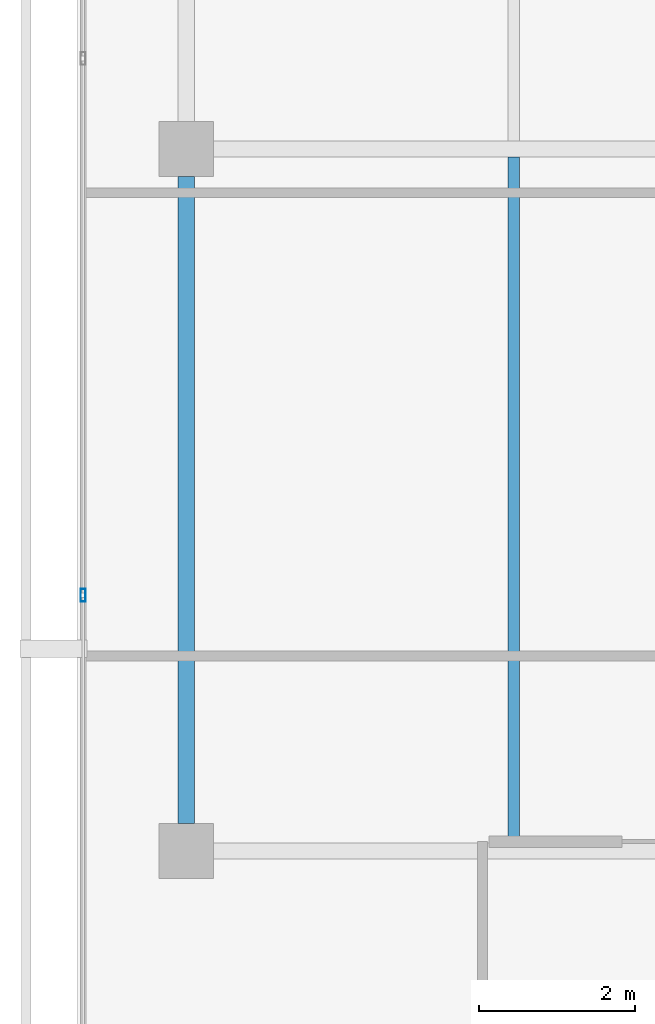
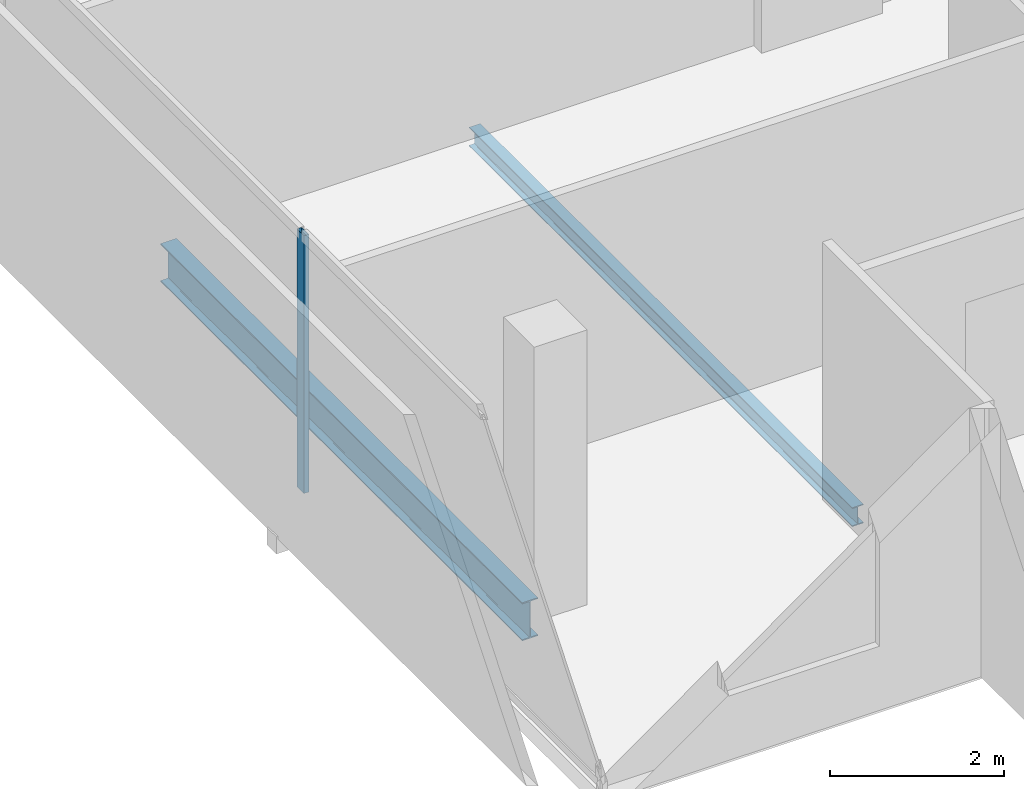
# One storey, part 4 of 26: 2 beams, 1 member, 1 element without a shape of its own.
"""IFC4 building model written with IfcOpenShell, lengths in metres."""

from ifc_helpers import new_model, si_unit, direction, frame, origin, origin_2d, place, context, subcontext, project, spatial, hollow_rectangle, i_section, extrude, material, layer, layer_set, material_profile, profile_set, type_object, element, aggregate, save


model = new_model("IFC4")

# Units and contexts
model_context = context("Model", 3, precision=1e-05, world=origin(), true_north=direction((0.0, 1.0)))
body_context = subcontext(model_context, "Body", "Model", "MODEL_VIEW")
ifc_project = project(units=[si_unit("LENGTHUNIT", "METRE"), si_unit("AREAUNIT", "SQUARE_METRE"), si_unit("VOLUMEUNIT", "CUBIC_METRE"), si_unit("PLANEANGLEUNIT", "RADIAN"), si_unit("MASSUNIT", "GRAM", prefix="KILO")], contexts=[model_context])

# Site, building, storey
site_placement = place(None, origin())
site = spatial("IfcSite", under=ifc_project, at=site_placement, CompositionType="ELEMENT")
building_placement = place(site_placement, origin())
building = spatial("IfcBuilding", under=site, at=building_placement, Name="Maruvema Waterfront Hotel and Observation Tower", CompositionType="ELEMENT")
storey_placement = place(building_placement, frame((0.0, 0.0, 266.35009765625)))
storey = spatial("IfcBuildingStorey", under=building, at=storey_placement, Name="L65", CompositionType="ELEMENT", Elevation=266.35009765625)

# Curtain wall, member
ifc_material_1 = material(Name="Anodised bronze aluminium and solar-control low-E IGU", Category="aluminium")
ifc_layer = layer(ifc_material_1, 0.159912109375, Name="Zone 3 Champagne Inner Thermal Curtain Wall System CW-04")
ifc_layer_set = layer_set([ifc_layer], Name="Anodised bronze aluminium and solar-control low-E IGU")
curtain_wall_type = type_object("IfcCurtainWallType", Name="Zone 3 Champagne Inner Thermal Curtain Wall System CW-04", PredefinedType="USERDEFINED", material=ifc_layer_set)
curtain_wall_placement = place(storey_placement, origin())
curtain_wall = element("IfcCurtainWall", 1, at=curtain_wall_placement, inside=storey, type_object=curtain_wall_type, Name="L65 Curtain Wall CW-L65-W", ObjectType="UNITISED CURTAIN WALL", PredefinedType="USERDEFINED")
ifc_material_2 = material(Name="Anodised architectural bronze aluminium", Category="aluminium")
ifc_material_profile_1 = material_profile(ifc_material_2, hollow_rectangle(XDim=0.06494140625, YDim=0.1650390625, WallThickness=0.00390625, at=origin_2d()), Name="ALU-M65x165")
ifc_profile_set_1 = profile_set([ifc_material_profile_1], Name="Anodised architectural bronze aluminium")
member_type = type_object("IfcMemberType", Name="Curtain Wall Primary Mullion ALU-M65x165", PredefinedType="MULLION", material=ifc_profile_set_1)
member_placement = place(storey_placement, frame((15.47998046875, 21.280029296875, 0.0), z_axis=(0.0, 0.0, 1.0), x_axis=(1.0, 0.0, 0.0)))
member = element("IfcMember", 2, at=member_placement, type_object=member_type, Name="CW-04 mullion 5", PredefinedType="MULLION", context=body_context, shape_type="SweptSolid", body=[
    extrude(hollow_rectangle(XDim=0.06494140625, YDim=0.1650390625, WallThickness=0.00390625, at=origin_2d()), origin(), (0.0, 0.0, 1.0), 3.60986328125),
])
aggregate(curtain_wall, [member])

# Beams
ifc_material_3 = material(Name="Steel ASTM A572 Grade 50", Category="steel")
ifc_material_profile_2 = material_profile(ifc_material_3, i_section(OverallWidth=0.208984375, OverallDepth=0.532958984375, WebThickness=0.01025390625, FlangeThickness=0.015625, FilletRadius=0.014892578125, at=origin_2d()), Name="W530x92.0")
ifc_profile_set_2 = profile_set([ifc_material_profile_2], Name="Steel ASTM A572 Grade 50")
beam_type_1 = type_object("IfcBeamType", Name="Primary Floor Girder W530x92.0", PredefinedType="BEAM", material=ifc_profile_set_2)
beam_1_placement = place(storey_placement, frame((16.800048828125, 18.35009765625, -0.506591796875), z_axis=(0.0, 1.0, 0.0), x_axis=(-1.0, 0.0, 0.0)))
element("IfcBeam", 3, at=beam_1_placement, inside=storey, type_object=beam_type_1, Name="L65 Floor Girder NS-01", PredefinedType="BEAM", context=body_context, shape_type="SweptSolid", body=[
    extrude(i_section(OverallWidth=0.208984375, OverallDepth=0.532958984375, WebThickness=0.01025390625, FlangeThickness=0.015625, FilletRadius=0.014892578125, at=origin_2d()), origin(), (0.0, 0.0, 1.0), 8.2998046875),
])
ifc_material_4 = material(Name="Steel ASTM A572 Grade 50", Category="steel")
ifc_material_profile_3 = material_profile(ifc_material_4, i_section(OverallWidth=0.14794921875, OverallDepth=0.26611328125, WebThickness=0.007568359375, FlangeThickness=0.012939453125, FilletRadius=0.012939453125, at=origin_2d()), Name="W250x44.8")
ifc_profile_set_3 = profile_set([ifc_material_profile_3], Name="Steel ASTM A572 Grade 50")
beam_type_2 = type_object("IfcBeamType", Name="Secondary Floor Joist W250x44.8", PredefinedType="JOIST", material=ifc_profile_set_3)
beam_2_placement = place(storey_placement, frame((21.0, 18.1044921875, -0.373046875), z_axis=(0.0, 1.0, 0.0), x_axis=(-1.0, 0.0, 0.0)))
element("IfcBeam", 4, at=beam_2_placement, inside=storey, type_object=beam_type_2, Name="L65 Secondary Floor Joist JS-01", PredefinedType="JOIST", context=body_context, shape_type="SweptSolid", body=[
    extrude(i_section(OverallWidth=0.14794921875, OverallDepth=0.26611328125, WebThickness=0.007568359375, FlangeThickness=0.012939453125, FilletRadius=0.012939453125, at=origin_2d()), origin(), (0.0, 0.0, 1.0), 8.791015625),
])

save(model, "model.ifc")
